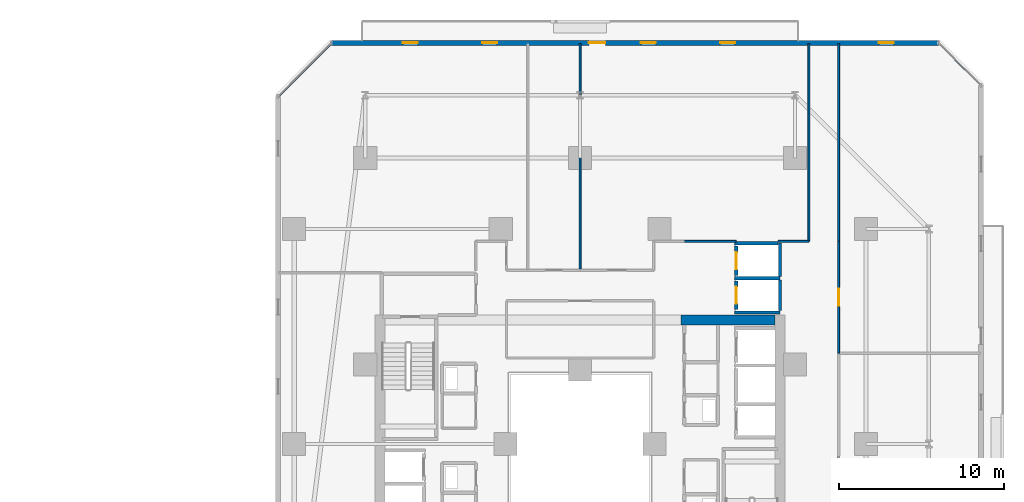
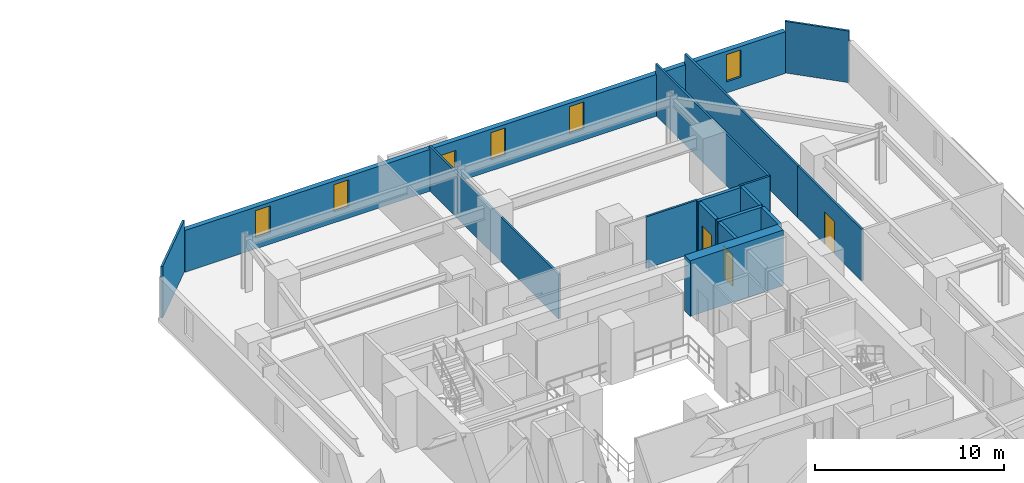
# One storey, part 27 of 34: 17 walls, 5 windows, 4 doors, 9 openings.
"""IFC4 building model written with IfcOpenShell, lengths in metres."""

from ifc_helpers import new_model, si_unit, direction, frame, frame_2d, origin, place, context, subcontext, project, spatial, rectangle, extrude, material, layer, layer_set, type_object, element, fill, save


model = new_model("IFC4")

# Units and contexts
model_context = context("Model", 3, precision=1e-05, world=origin(), true_north=direction((0.0, 1.0)))
body_context = subcontext(model_context, "Body", "Model", "MODEL_VIEW")
ifc_project = project(units=[si_unit("LENGTHUNIT", "METRE"), si_unit("AREAUNIT", "SQUARE_METRE"), si_unit("VOLUMEUNIT", "CUBIC_METRE"), si_unit("PLANEANGLEUNIT", "RADIAN"), si_unit("MASSUNIT", "GRAM", prefix="KILO")], contexts=[model_context])

# Site, building, storey
site_placement = place(None, origin())
site = spatial("IfcSite", under=ifc_project, at=site_placement, CompositionType="ELEMENT")
building_placement = place(site_placement, origin())
building = spatial("IfcBuilding", under=site, at=building_placement, Name="Thornwick Lancets Civic Towers", CompositionType="ELEMENT")
storey_placement = place(building_placement, frame((0.0, 0.0, 60.89990234375)))
storey = spatial("IfcBuildingStorey", under=building, at=storey_placement, Name="L15", CompositionType="ELEMENT", Elevation=60.89990234375)

# Wall, opening, door
ifc_material_1 = material(Name="Concrete blockwork C40/50", Category="masonry")
ifc_layer_1 = layer(ifc_material_1, 0.199951171875, Name="Concrete blockwork C40/50")
ifc_layer_set_1 = layer_set([ifc_layer_1], Name="Concrete blockwork C40/50")
wall_type_1 = type_object("IfcWallType", Name="WALL_COMP_200", PredefinedType="STANDARD", material=ifc_layer_set_1)
wall_1_placement = place(storey_placement, frame((97.949951171875, 36.8701171875, 0.0), z_axis=(0.0, 0.0, 1.0), x_axis=(0.0, -1.0, 0.0)))
wall_1 = element("IfcWall", 1, at=wall_1_placement, inside=storey, type_object=wall_type_1, Name="L15 Hoistway Front Wall PL-BL2", PredefinedType="STANDARD", context=body_context, shape_type="SweptSolid", body=[
    extrude(rectangle(XDim=1.740234375, YDim=0.199951171875, at=frame_2d((0.8701171875, 0.0))), origin(), (0.0, 0.0, 1.0), 3.340087890625),
])
opening_1_placement = place(wall_1_placement, frame((0.360107421875, 0.0, 0.0)))
opening_1 = element("IfcOpeningElement", 2, at=opening_1_placement, cuts=wall_1, Name="Opening LD-PL-BL2", PredefinedType="OPENING", context=body_context, shape_type="SweptSolid", body=[
    extrude(rectangle(XDim=1.02001953125, YDim=2.06005859375, at=frame_2d((0.510009765625, 1.030029296875))), frame((0.0, 0.10986328125, 0.0), z_axis=(0.0, -1.0, 0.0), x_axis=(1.0, 0.0, 0.0)), (0.0, 0.0, 1.0), 0.219970703125),
])
ifc_material_2 = material(Name="Brushed bronze stainless steel", Category="steel")
door_type_1 = type_object("IfcDoorType", Name="DOOR_LIFT_SLIDE", OperationType="SLIDING_TO_LEFT", PredefinedType="DOOR", material=ifc_material_2)
door_1_placement = place(opening_1_placement, origin())
door_1 = element("IfcDoor", 3, at=door_1_placement, inside=storey, type_object=door_type_1, Name="L15 Sliding Lift Landing Door LD-PL-BL2", OperationType="SLIDING_TO_LEFT", OverallHeight=2.06005859375, OverallWidth=1.02001953125, PredefinedType="DOOR", context=body_context, shape_type="SweptSolid", body=[
    extrude(rectangle(XDim=1.02001953125, YDim=2.06005859375, at=frame_2d((0.510009765625, 1.030029296875))), frame((0.0, 0.02490234375, 0.0), z_axis=(0.0, -1.0, 0.0), x_axis=(1.0, 0.0, 0.0)), (0.0, 0.0, 1.0), 0.050048828125),
])
fill(opening_1, door_1)

wall_2_placement = place(storey_placement, frame((97.949951171875, 38.969970703125, 0.0), z_axis=(0.0, 0.0, 1.0), x_axis=(0.0, -1.0, 0.0)))
wall_2 = element("IfcWall", 4, at=wall_2_placement, inside=storey, type_object=wall_type_1, Name="L15 Hoistway Front Wall PL-BL3", PredefinedType="STANDARD", context=body_context, shape_type="SweptSolid", body=[
    extrude(rectangle(XDim=1.7900390625, YDim=0.199951171875, at=frame_2d((0.89501953125, 0.0))), origin(), (0.0, 0.0, 1.0), 3.340087890625),
])
opening_2_placement = place(wall_2_placement, frame((0.385009765625, 0.0, 0.0)))
opening_2 = element("IfcOpeningElement", 5, at=opening_2_placement, cuts=wall_2, Name="Opening LD-PL-BL3", PredefinedType="OPENING", context=body_context, shape_type="SweptSolid", body=[
    extrude(rectangle(XDim=1.02001953125, YDim=2.06005859375, at=frame_2d((0.510009765625, 1.030029296875))), frame((0.0, 0.10986328125, 0.0), z_axis=(0.0, -1.0, 0.0), x_axis=(1.0, 0.0, 0.0)), (0.0, 0.0, 1.0), 0.219970703125),
])
door_2_placement = place(opening_2_placement, origin())
door_2 = element("IfcDoor", 6, at=door_2_placement, inside=storey, type_object=door_type_1, Name="L15 Sliding Lift Landing Door LD-PL-BL3", OperationType="SLIDING_TO_LEFT", OverallHeight=2.06005859375, OverallWidth=1.02001953125, PredefinedType="DOOR", context=body_context, shape_type="SweptSolid", body=[
    extrude(rectangle(XDim=1.02001953125, YDim=2.06005859375, at=frame_2d((0.510009765625, 1.030029296875))), frame((0.0, 0.02490234375, 0.0), z_axis=(0.0, -1.0, 0.0), x_axis=(1.0, 0.0, 0.0)), (0.0, 0.0, 1.0), 0.050048828125),
])
fill(opening_2, door_2)

# Walls
for number, where, z_axis, x_axis, name in (
    (7, (97.85205078125, 37.02490234375, 0.0), (0.0, 0.0, 1.0), (1.0, 0.0, 0.0), "L15 Hoistway Shaft Wall PL-BL2 N"),
    (8, (97.85205078125, 34.949951171875, 0.0), (0.0, 0.0, 1.0), (1.0, 0.0, 0.0), "L15 Hoistway Shaft Wall PL-BL2 S"),
):
    element("IfcWall", number, at=place(storey_placement, frame(where, z_axis=z_axis, x_axis=x_axis)), inside=storey, type_object=wall_type_1, Name=name, PredefinedType="STANDARD", context=body_context, shape_type="SweptSolid", body=[
        extrude(rectangle(XDim=2.745849609375, YDim=0.199951171875, at=frame_2d((1.373046875, 0.0))), origin(), (0.0, 0.0, 1.0), 3.340087890625),
    ])
wall_3_placement = place(storey_placement, frame((100.60009765625, 35.06201171875, 0.0), z_axis=(0.0, 0.0, 1.0), x_axis=(0.0, 1.0, 0.0)))
element("IfcWall", 9, at=wall_3_placement, inside=storey, type_object=wall_type_1, Name="L15 Hoistway Shaft Wall PL-BL2 E", PredefinedType="STANDARD", context=body_context, shape_type="SweptSolid", body=[
    extrude(rectangle(XDim=1.85595703125, YDim=0.199951171875, at=frame_2d((0.927978515625, 0.0))), origin(), (0.0, 0.0, 1.0), 3.340087890625),
])
wall_4_placement = place(storey_placement, frame((100.60009765625, 37.132080078125, 0.0), z_axis=(0.0, 0.0, 1.0), x_axis=(0.0, 1.0, 0.0)))
element("IfcWall", 10, at=wall_4_placement, inside=storey, type_object=wall_type_1, Name="L15 Hoistway Shaft Wall PL-BL2 E", PredefinedType="STANDARD", context=body_context, shape_type="SweptSolid", body=[
    extrude(rectangle(XDim=2.015869140625, YDim=0.199951171875, at=frame_2d((1.0078125, 0.0))), origin(), (0.0, 0.0, 1.0), 3.340087890625),
])
wall_5_placement = place(storey_placement, frame((97.85205078125, 39.14990234375, 0.0), z_axis=(0.0, 0.0, 1.0), x_axis=(1.0, 0.0, 0.0)))
element("IfcWall", 11, at=wall_5_placement, inside=storey, type_object=wall_type_1, Name="L15 Hoistway Shaft Wall PL-BL3 N", PredefinedType="STANDARD", context=body_context, shape_type="SweptSolid", body=[
    extrude(rectangle(XDim=2.635986328125, YDim=0.199951171875, at=frame_2d((1.31787109375, 0.0))), origin(), (0.0, 0.0, 1.0), 3.340087890625),
])
ifc_material_3 = material(Name="Concrete C60/75", Category="concrete")
ifc_layer_2 = layer(ifc_material_3, 0.60009765625, Name="Concrete C60/75")
ifc_layer_set_2 = layer_set([ifc_layer_2], Name="Concrete C60/75")
wall_type_2 = type_object("IfcWallType", Name="WALL_CORE_600", PredefinedType="SHEAR", material=ifc_layer_set_2)
wall_6_placement = place(storey_placement, frame((94.60009765625, 34.5, 0.0), z_axis=(0.0, 0.0, 1.0), x_axis=(1.0, 0.0, 0.0)))
element("IfcWall", 12, at=wall_6_placement, inside=storey, type_object=wall_type_2, Name="L15 Split Core B1 Shear Wall N", PredefinedType="SHEAR", context=body_context, shape_type="SweptSolid", body=[
    extrude(rectangle(XDim=5.699951171875, YDim=0.60009765625, at=frame_2d((2.85009765625, 0.0))), origin(), (0.0, 0.0, 1.0), 3.60009765625),
])

# Wall, openings, door, windows
ifc_material_4 = material(Name="Insulated russet terracotta rainscreen on concrete C40/50", Category="masonry")
ifc_layer_3 = layer(ifc_material_4, 0.300048828125, Name="Insulated russet terracotta rainscreen on concrete C40/50")
ifc_layer_set_3 = layer_set([ifc_layer_3], Name="Insulated russet terracotta rainscreen on concrete C40/50")
wall_type_3 = type_object("IfcWallType", Name="WALL_EXT_RUSSET_300", PredefinedType="STANDARD", material=ifc_layer_set_3)
wall_7_placement = place(storey_placement, frame((110.18115234375, 51.264892578125, 0.0), z_axis=(0.0, 0.0, 1.0), x_axis=(-0.999999998209, -5.985515e-05, 0.0)))
wall_7 = element("IfcWall", 13, at=wall_7_placement, inside=storey, type_object=wall_type_3, Name="L15 Tower B Terracotta Facade Wall E4", PredefinedType="STANDARD", context=body_context, shape_type="SweptSolid", body=[
    extrude(rectangle(XDim=36.709716796875, YDim=0.300048828125, at=frame_2d((18.35498046875, 0.0))), origin(), (0.0, 0.0, 1.0), 2.7001953125),
])
opening_3_placement = place(wall_7_placement, frame((20.15478515625, 0.0, 0.0)))
opening_3 = element("IfcOpeningElement", 14, at=opening_3_placement, cuts=wall_7, Name="Opening D-BL-L15-BN", PredefinedType="OPENING", context=body_context, shape_type="SweptSolid", body=[
    extrude(rectangle(XDim=1.0, YDim=2.080078125, at=frame_2d((0.5, 1.0400390625))), frame((0.0, 0.16015625, 0.0), z_axis=(0.0, -1.0, 0.0), x_axis=(1.0, 0.0, 0.0)), (0.0, 0.0, 1.0), 0.320068359375),
])
opening_4_placement = place(wall_7_placement, frame((2.699951171875, 0.0, 0.719970703125)))
opening_4 = element("IfcOpeningElement", 15, at=opening_4_placement, cuts=wall_7, Name="Opening WL-01", PredefinedType="OPENING", context=body_context, shape_type="SweptSolid", body=[
    extrude(rectangle(XDim=0.89990234375, YDim=1.75, at=frame_2d((0.449951171875, 0.875))), frame((0.0, 0.16015625, 0.0), z_axis=(0.0, -1.0, 0.0), x_axis=(1.0, 0.0, 0.0)), (0.0, 0.0, 1.0), 0.320068359375),
])
opening_5_placement = place(wall_7_placement, frame((12.300048828125, 0.0, 0.719970703125)))
opening_5 = element("IfcOpeningElement", 16, at=opening_5_placement, cuts=wall_7, Name="Opening WL-01", PredefinedType="OPENING", context=body_context, shape_type="SweptSolid", body=[
    extrude(rectangle(XDim=0.89990234375, YDim=1.75, at=frame_2d((0.449951171875, 0.875))), frame((0.0, 0.16015625, 0.0), z_axis=(0.0, -1.0, 0.0), x_axis=(1.0, 0.0, 0.0)), (0.0, 0.0, 1.0), 0.320068359375),
])
opening_6_placement = place(wall_7_placement, frame((17.10009765625, 0.0, 0.719970703125)))
opening_6 = element("IfcOpeningElement", 17, at=opening_6_placement, cuts=wall_7, Name="Opening WL-01", PredefinedType="OPENING", context=body_context, shape_type="SweptSolid", body=[
    extrude(rectangle(XDim=0.89990234375, YDim=1.75, at=frame_2d((0.449951171875, 0.875))), frame((0.0, 0.16015625, 0.0), z_axis=(0.0, -1.0, 0.0), x_axis=(1.0, 0.0, 0.0)), (0.0, 0.0, 1.0), 0.320068359375),
])
opening_7_placement = place(wall_7_placement, frame((26.699951171875, 0.0, 0.719970703125)))
opening_7 = element("IfcOpeningElement", 18, at=opening_7_placement, cuts=wall_7, Name="Opening WL-01", PredefinedType="OPENING", context=body_context, shape_type="SweptSolid", body=[
    extrude(rectangle(XDim=0.89990234375, YDim=1.75, at=frame_2d((0.449951171875, 0.875))), frame((0.0, 0.16015625, 0.0), z_axis=(0.0, -1.0, 0.0), x_axis=(1.0, 0.0, 0.0)), (0.0, 0.0, 1.0), 0.320068359375),
])
opening_8_placement = place(wall_7_placement, frame((31.5, 0.0, 0.719970703125)))
opening_8 = element("IfcOpeningElement", 19, at=opening_8_placement, cuts=wall_7, Name="Opening WL-01", PredefinedType="OPENING", context=body_context, shape_type="SweptSolid", body=[
    extrude(rectangle(XDim=0.89990234375, YDim=1.75, at=frame_2d((0.449951171875, 0.875))), frame((0.0, 0.16015625, 0.0), z_axis=(0.0, -1.0, 0.0), x_axis=(1.0, 0.0, 0.0)), (0.0, 0.0, 1.0), 0.320068359375),
])
ifc_material_5 = material(Name="Thermally broken glazed loggia doorset")
door_type_2 = type_object("IfcDoorType", Name="DOOR_BALC_1000", OperationType="NOTDEFINED", PredefinedType="DOOR", material=ifc_material_5)
door_3_placement = place(opening_3_placement, origin())
door_3 = element("IfcDoor", 20, at=door_3_placement, inside=storey, type_object=door_type_2, Name="L15 Tower B Loggia Balcony Door N", OperationType="SINGLE_SWING_RIGHT", OverallHeight=2.080078125, OverallWidth=1.0, PredefinedType="DOOR", context=body_context, shape_type="SweptSolid", body=[
    extrude(rectangle(XDim=1.0, YDim=2.080078125, at=frame_2d((0.5, 1.0400390625))), frame((0.0, 0.02490234375, 0.0), z_axis=(0.0, -1.0, 0.0), x_axis=(1.0, 0.0, 0.0)), (0.0, 0.0, 1.0), 0.050048828125),
])
fill(opening_3, door_3)
ifc_material_6 = material(Name="Clear low-e double glazing in bronze frame", Category="glass")
window_type = type_object("IfcWindowType", Name="WIN_LANCET_900", PartitioningType="SINGLE_PANEL", PredefinedType="WINDOW", material=ifc_material_6)
window_1_placement = place(opening_4_placement, origin())
window_1 = element("IfcWindow", 21, at=window_1_placement, inside=storey, type_object=window_type, Name="L15 Tower B Staggered Lancet Window E4-1", OverallHeight=1.75, OverallWidth=0.89990234375, PartitioningType="SINGLE_PANEL", PredefinedType="WINDOW", context=body_context, shape_type="SweptSolid", body=[
    extrude(rectangle(XDim=0.89990234375, YDim=1.75, at=frame_2d((0.449951171875, 0.875))), frame((0.0, 0.030029296875, 0.0), z_axis=(0.0, -1.0, 0.0), x_axis=(1.0, 0.0, 0.0)), (0.0, 0.0, 1.0), 0.06005859375),
])
fill(opening_4, window_1)
window_2_placement = place(opening_5_placement, origin())
window_2 = element("IfcWindow", 22, at=window_2_placement, inside=storey, type_object=window_type, Name="L15 Tower B Staggered Lancet Window E4-2", OverallHeight=1.75, OverallWidth=0.89990234375, PartitioningType="SINGLE_PANEL", PredefinedType="WINDOW", context=body_context, shape_type="SweptSolid", body=[
    extrude(rectangle(XDim=0.89990234375, YDim=1.75, at=frame_2d((0.449951171875, 0.875))), frame((0.0, 0.030029296875, 0.0), z_axis=(0.0, -1.0, 0.0), x_axis=(1.0, 0.0, 0.0)), (0.0, 0.0, 1.0), 0.06005859375),
])
fill(opening_5, window_2)
window_3_placement = place(opening_6_placement, origin())
window_3 = element("IfcWindow", 23, at=window_3_placement, inside=storey, type_object=window_type, Name="L15 Tower B Staggered Lancet Window E4-3", OverallHeight=1.75, OverallWidth=0.89990234375, PartitioningType="SINGLE_PANEL", PredefinedType="WINDOW", context=body_context, shape_type="SweptSolid", body=[
    extrude(rectangle(XDim=0.89990234375, YDim=1.75, at=frame_2d((0.449951171875, 0.875))), frame((0.0, 0.030029296875, 0.0), z_axis=(0.0, -1.0, 0.0), x_axis=(1.0, 0.0, 0.0)), (0.0, 0.0, 1.0), 0.06005859375),
])
fill(opening_6, window_3)
window_4_placement = place(opening_7_placement, origin())
window_4 = element("IfcWindow", 24, at=window_4_placement, inside=storey, type_object=window_type, Name="L15 Tower B Staggered Lancet Window E4-4", OverallHeight=1.75, OverallWidth=0.89990234375, PartitioningType="SINGLE_PANEL", PredefinedType="WINDOW", context=body_context, shape_type="SweptSolid", body=[
    extrude(rectangle(XDim=0.89990234375, YDim=1.75, at=frame_2d((0.449951171875, 0.875))), frame((0.0, 0.030029296875, 0.0), z_axis=(0.0, -1.0, 0.0), x_axis=(1.0, 0.0, 0.0)), (0.0, 0.0, 1.0), 0.06005859375),
])
fill(opening_7, window_4)
window_5_placement = place(opening_8_placement, origin())
window_5 = element("IfcWindow", 25, at=window_5_placement, inside=storey, type_object=window_type, Name="L15 Tower B Staggered Lancet Window E4-5", OverallHeight=1.75, OverallWidth=0.89990234375, PartitioningType="SINGLE_PANEL", PredefinedType="WINDOW", context=body_context, shape_type="SweptSolid", body=[
    extrude(rectangle(XDim=0.89990234375, YDim=1.75, at=frame_2d((0.449951171875, 0.875))), frame((0.0, 0.030029296875, 0.0), z_axis=(0.0, -1.0, 0.0), x_axis=(1.0, 0.0, 0.0)), (0.0, 0.0, 1.0), 0.06005859375),
])
fill(opening_8, window_5)

# Walls
ifc_material_7 = material(Name="Acoustic gypsum board partition")
ifc_layer_4 = layer(ifc_material_7, 0.1201171875, Name="Acoustic gypsum board partition")
ifc_layer_set_4 = layer_set([ifc_layer_4], Name="Acoustic gypsum board partition")
wall_type_4 = type_object("IfcWallType", Name="WALL_PART_120", PredefinedType="PARTITIONING", material=ifc_layer_set_4)
wall_8_placement = place(storey_placement, frame((97.949951171875, 39.25, 0.0), z_axis=(0.0, 0.0, 1.0), x_axis=(-1.0, 0.0, 0.0)))
element("IfcWall", 26, at=wall_8_placement, inside=storey, type_object=wall_type_4, Name="L15 Partition L15-B-E1 E1", PredefinedType="PARTITIONING", context=body_context, shape_type="SweptSolid", body=[
    extrude(rectangle(XDim=3.14990234375, YDim=0.1201171875, at=frame_2d((1.574951171875, 0.0))), origin(), (0.0, 0.0, 1.0), 3.340087890625),
])
wall_9_placement = place(storey_placement, frame((88.5, 37.5, 0.0), z_axis=(0.0, 0.0, 1.0), x_axis=(0.0, 1.0, 0.0)))
element("IfcWall", 27, at=wall_9_placement, inside=storey, type_object=wall_type_4, Name="L15 Partition L15-B-E1 E5", PredefinedType="PARTITIONING", context=body_context, shape_type="SweptSolid", body=[
    extrude(rectangle(XDim=13.719970703125, YDim=0.1201171875, at=frame_2d((6.85986328125, 0.0))), origin(), (0.0, 0.0, 1.0), 2.8779296875),
])
wall_10_placement = place(storey_placement, frame((102.35009765625, 51.219970703125, 0.0), z_axis=(0.0, 0.0, 1.0), x_axis=(0.0, -1.0, 0.0)))
element("IfcWall", 28, at=wall_10_placement, inside=storey, type_object=wall_type_4, Name="L15 Partition L15-B-E1 E7", PredefinedType="PARTITIONING", context=body_context, shape_type="SweptSolid", body=[
    extrude(rectangle(XDim=11.969970703125, YDim=0.1201171875, at=frame_2d((5.98486328125, 0.0))), origin(), (0.0, 0.0, 1.0), 3.340087890625),
])
wall_11_placement = place(storey_placement, frame((102.35009765625, 39.25, 0.0), z_axis=(0.0, 0.0, 1.0), x_axis=(-1.0, 0.0, 0.0)))
element("IfcWall", 29, at=wall_11_placement, inside=storey, type_object=wall_type_4, Name="L15 Partition L15-B-E1 E8", PredefinedType="PARTITIONING", context=body_context, shape_type="SweptSolid", body=[
    extrude(rectangle(XDim=1.862060546875, YDim=0.1201171875, at=frame_2d((0.93115234375, 0.0))), origin(), (0.0, 0.0, 1.0), 3.340087890625),
])
wall_12_placement = place(storey_placement, frame((70.280029296875, 48.0703125, 0.0), z_axis=(0.0, 0.0, 1.0), x_axis=(0.707106781187, 0.707106781187, 0.0)))
element("IfcWall", 30, at=wall_12_placement, inside=storey, type_object=wall_type_4, Name="L15 Partition L15-B-E3 E7", PredefinedType="PARTITIONING", context=body_context, shape_type="SweptSolid", body=[
    extrude(rectangle(XDim=4.454345703125, YDim=0.1201171875, at=frame_2d((2.22705078125, 0.0))), origin(), (0.0, 0.0, 1.0), 3.340087890625),
])

# Wall, opening, door
wall_13_placement = place(storey_placement, frame((104.14990234375, 32.5, 0.0), z_axis=(0.0, 0.0, 1.0), x_axis=(0.0, 1.0, 0.0)))
wall_13 = element("IfcWall", 31, at=wall_13_placement, inside=storey, type_object=wall_type_4, Name="L15 Partition L15-B-S-OFF2 E1", PredefinedType="PARTITIONING", context=body_context, shape_type="SweptSolid", body=[
    extrude(rectangle(XDim=6.75, YDim=0.1201171875, at=frame_2d((3.375, 0.0))), origin(), (0.0, 0.0, 1.0), 3.340087890625),
])
opening_9_placement = place(wall_13_placement, frame((2.85009765625, 0.0, 0.0)))
opening_9 = element("IfcOpeningElement", 32, at=opening_9_placement, cuts=wall_13, Name="Opening D-L15-0748", PredefinedType="OPENING", context=body_context, shape_type="SweptSolid", body=[
    extrude(rectangle(XDim=1.050048828125, YDim=2.10009765625, at=frame_2d((0.52490234375, 1.050048828125))), frame((0.0, 0.070068359375, 0.0), z_axis=(0.0, -1.0, 0.0), x_axis=(1.0, 0.0, 0.0)), (0.0, 0.0, 1.0), 0.14013671875),
])
ifc_material_8 = material(Name="Glazed European oak executive doorset")
door_type_3 = type_object("IfcDoorType", Name="DOOR_OFFICE_1050", OperationType="NOTDEFINED", PredefinedType="DOOR", material=ifc_material_8)
door_4_placement = place(opening_9_placement, origin())
door_4 = element("IfcDoor", 33, at=door_4_placement, inside=storey, type_object=door_type_3, Name="L15 Tower B South-East Division Office Door", OperationType="SINGLE_SWING_LEFT", OverallHeight=2.10009765625, OverallWidth=1.050048828125, PredefinedType="DOOR", context=body_context, shape_type="SweptSolid", body=[
    extrude(rectangle(XDim=1.050048828125, YDim=2.10009765625, at=frame_2d((0.52490234375, 1.050048828125))), frame((0.0, 0.02490234375, 0.0), z_axis=(0.0, -1.0, 0.0), x_axis=(1.0, 0.0, 0.0)), (0.0, 0.0, 1.0), 0.050048828125),
])
fill(opening_9, door_4)

# Walls
wall_14_placement = place(storey_placement, frame((104.14990234375, 39.25, 0.0), z_axis=(0.0, 0.0, 1.0), x_axis=(0.0, 1.0, 0.0)))
element("IfcWall", 34, at=wall_14_placement, inside=storey, type_object=wall_type_4, Name="L15 Partition L15-B-S-OFF2 E2", PredefinedType="PARTITIONING", context=body_context, shape_type="SweptSolid", body=[
    extrude(rectangle(XDim=11.969970703125, YDim=0.1201171875, at=frame_2d((5.98486328125, 0.0))), origin(), (0.0, 0.0, 1.0), 3.340087890625),
])
wall_15_placement = place(storey_placement, frame((110.225341796875, 51.219970703125, 0.0), z_axis=(0.0, 0.0, 1.0), x_axis=(0.707106781187, -0.707106781187, 0.0)))
element("IfcWall", 35, at=wall_15_placement, inside=storey, type_object=wall_type_4, Name="L15 Partition L15-B-S-OFF2 E4", PredefinedType="PARTITIONING", context=body_context, shape_type="SweptSolid", body=[
    extrude(rectangle(XDim=3.52783203125, YDim=0.1201171875, at=frame_2d((1.763916015625, 0.0))), origin(), (0.0, 0.0, 1.0), 3.340087890625),
])

save(model, "model.ifc")
